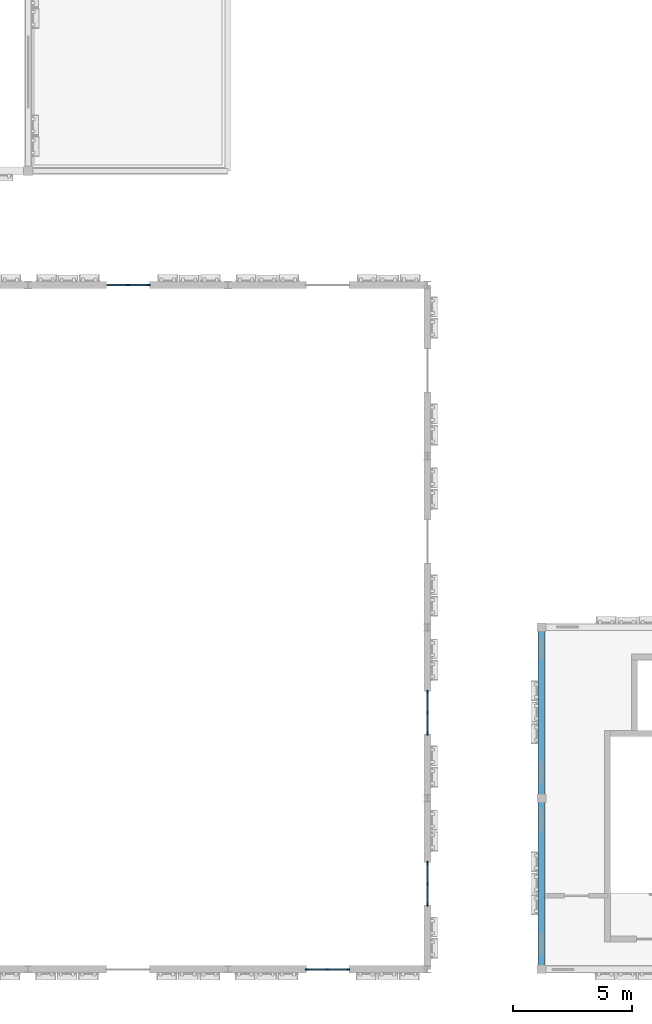
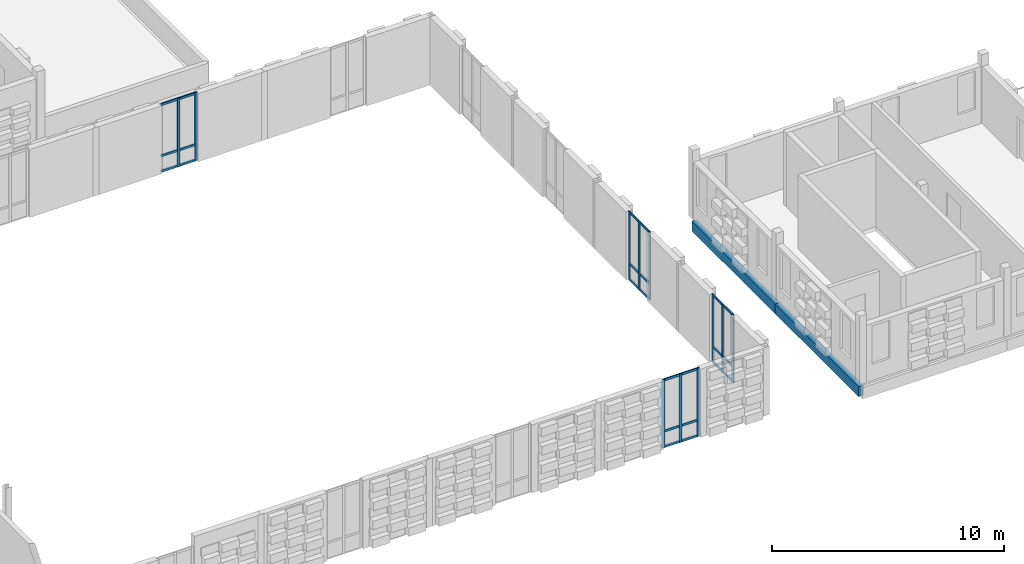
# One storey, part 8 of 57: 23 members, 2 beams, 4 elements without a shape of their own.
"""IFC4 building model written with IfcOpenShell, lengths in metres."""

from ifc_helpers import new_model, si_unit, direction, frame, origin, origin_2d, place, context, subcontext, project, spatial, rectangle, extrude, material, material_profile, profile_set, type_object, element, aggregate, save


model = new_model("IFC4")

# Units and contexts
model_context = context("Model", 3, precision=1e-05, world=origin(), true_north=direction((0.0, 1.0)))
body_context = subcontext(model_context, "Body", "Model", "MODEL_VIEW")
ifc_project = project(units=[si_unit("LENGTHUNIT", "METRE"), si_unit("AREAUNIT", "SQUARE_METRE"), si_unit("VOLUMEUNIT", "CUBIC_METRE"), si_unit("PLANEANGLEUNIT", "RADIAN"), si_unit("MASSUNIT", "GRAM", prefix="KILO")], contexts=[model_context])

# Site, building, storey
site_placement = place(None, origin())
site = spatial("IfcSite", under=ifc_project, at=site_placement, CompositionType="ELEMENT")
building_placement = place(site_placement, origin())
building = spatial("IfcBuilding", under=site, at=building_placement, Name="Kahlenmark Community Centre", CompositionType="ELEMENT")
storey_placement = place(building_placement, frame((0.0, 0.0, 13.800048828125)))
storey = spatial("IfcBuildingStorey", under=building, at=storey_placement, Name="L03", CompositionType="ELEMENT", Elevation=13.800048828125)

# Beams
ifc_material_1 = material(Name="Glulam GL32h", Category="wood")
ifc_material_profile_1 = material_profile(ifc_material_1, rectangle(XDim=0.239990234375, YDim=0.52001953125, at=origin_2d()), Name="GL32h 240x520")
ifc_profile_set_1 = profile_set([ifc_material_profile_1], Name="Glulam GL32h")
beam_type = type_object("IfcBeamType", Name="BT-BEAM-GL32h240x520", PredefinedType="BEAM", material=ifc_profile_set_1)
for number, where, z_axis, x_axis, name in (
    (1, (50.800048828125, 8.800048828125, -0.47998046875), (0.0, 1.0, 0.0), (-1.0, 0.0, 0.0), "L03 beam BG-RF520"),
    (2, (50.800048828125, 16.0, -0.47998046875), (0.0, 1.0, 0.0), (-1.0, 0.0, 0.0), "L03 beam BG-RF520"),
):
    element("IfcBeam", number, at=place(storey_placement, frame(where, z_axis=z_axis, x_axis=x_axis)), inside=storey, type_object=beam_type, Name=name, PredefinedType="BEAM", context=body_context, shape_type="SweptSolid", body=[
        extrude(rectangle(XDim=0.239990234375, YDim=0.52001953125, at=origin_2d()), origin(), (0.0, 0.0, 1.0), 7.199951171875),
    ])

# Curtain wall, members
ifc_material_2 = material(Name="Anodised aluminium unitised curtain wall", Category="aluminium")
curtain_wall_type = type_object("IfcCurtainWallType", Name="CWT-UNIT-180X359", PredefinedType="USERDEFINED", material=ifc_material_2)
curtain_wall_1_placement = place(storey_placement, origin())
curtain_wall_1 = element("IfcCurtainWall", 3, at=curtain_wall_1_placement, inside=storey, type_object=curtain_wall_type, Name="Unitised curtain wall CW-108", ObjectType="UNITISED CURTAIN WALL", PredefinedType="USERDEFINED")
ifc_material_3 = material(Name="Anodised aluminium 6063-T6", Category="aluminium")
ifc_material_profile_2 = material_profile(ifc_material_3, rectangle(XDim=0.06005859375, YDim=0.139892578125, at=origin_2d()), Name="ALU MULLION 60x140")
ifc_profile_set_2 = profile_set([ifc_material_profile_2], Name="Anodised aluminium 6063-T6")
member_type_1 = type_object("IfcMemberType", Name="MT-MUL-140", PredefinedType="MULLION", material=ifc_profile_set_2)
member_1_placement = place(storey_placement, frame((40.929931640625, 8.800048828125, 0.0), z_axis=(0.0, 0.0, 1.0), x_axis=(0.0, 1.0, 0.0)))
member_1 = element("IfcMember", 4, at=member_1_placement, type_object=member_type_1, Name="CW-108 mullion 1", PredefinedType="MULLION", context=body_context, shape_type="SweptSolid", body=[
    extrude(rectangle(XDim=0.06005859375, YDim=0.139892578125, at=origin_2d()), origin(), (0.0, 0.0, 1.0), 3.58984375),
])
member_2_placement = place(storey_placement, frame((41.800048828125, 8.800048828125, 0.0), z_axis=(0.0, 0.0, 1.0), x_axis=(0.0, 1.0, 0.0)))
member_2 = element("IfcMember", 5, at=member_2_placement, type_object=member_type_1, Name="CW-108 mullion 2", PredefinedType="MULLION", context=body_context, shape_type="SweptSolid", body=[
    extrude(rectangle(XDim=0.06005859375, YDim=0.139892578125, at=origin_2d()), origin(), (0.0, 0.0, 1.0), 3.58984375),
])
member_3_placement = place(storey_placement, frame((42.669921875, 8.800048828125, 0.0), z_axis=(0.0, 0.0, 1.0), x_axis=(0.0, 1.0, 0.0)))
member_3 = element("IfcMember", 6, at=member_3_placement, type_object=member_type_1, Name="CW-108 mullion 3", PredefinedType="MULLION", context=body_context, shape_type="SweptSolid", body=[
    extrude(rectangle(XDim=0.06005859375, YDim=0.139892578125, at=origin_2d()), origin(), (0.0, 0.0, 1.0), 3.58984375),
])

curtain_wall_2_placement = place(storey_placement, origin())
curtain_wall_2 = element("IfcCurtainWall", 7, at=curtain_wall_2_placement, inside=storey, type_object=curtain_wall_type, Name="Unitised curtain wall CW-111", ObjectType="UNITISED CURTAIN WALL", PredefinedType="USERDEFINED")
member_4_placement = place(storey_placement, frame((34.27001953125, 37.60009765625, 0.0), z_axis=(0.0, 0.0, 1.0), x_axis=(0.0, -1.0, 0.0)))
member_4 = element("IfcMember", 8, at=member_4_placement, type_object=member_type_1, Name="CW-111 mullion 1", PredefinedType="MULLION", context=body_context, shape_type="SweptSolid", body=[
    extrude(rectangle(XDim=0.06005859375, YDim=0.139892578125, at=origin_2d()), origin(), (0.0, 0.0, 1.0), 3.58984375),
])
member_5_placement = place(storey_placement, frame((33.39990234375, 37.60009765625, 0.0), z_axis=(0.0, 0.0, 1.0), x_axis=(0.0, -1.0, 0.0)))
member_5 = element("IfcMember", 9, at=member_5_placement, type_object=member_type_1, Name="CW-111 mullion 2", PredefinedType="MULLION", context=body_context, shape_type="SweptSolid", body=[
    extrude(rectangle(XDim=0.06005859375, YDim=0.139892578125, at=origin_2d()), origin(), (0.0, 0.0, 1.0), 3.58984375),
])

curtain_wall_3_placement = place(storey_placement, origin())
curtain_wall_3 = element("IfcCurtainWall", 10, at=curtain_wall_3_placement, inside=storey, type_object=curtain_wall_type, Name="Unitised curtain wall CW-115", ObjectType="UNITISED CURTAIN WALL", PredefinedType="USERDEFINED")
member_6_placement = place(storey_placement, frame((46.0, 11.530029296875, 0.0), z_axis=(0.0, 0.0, 1.0), x_axis=(-1.0, 0.0, 0.0)))
member_6 = element("IfcMember", 11, at=member_6_placement, type_object=member_type_1, Name="CW-115 mullion 1", PredefinedType="MULLION", context=body_context, shape_type="SweptSolid", body=[
    extrude(rectangle(XDim=0.06005859375, YDim=0.139892578125, at=origin_2d()), origin(), (0.0, 0.0, 1.0), 3.58984375),
])
member_7_placement = place(storey_placement, frame((46.0, 12.39990234375, 0.0), z_axis=(0.0, 0.0, 1.0), x_axis=(-1.0, 0.0, 0.0)))
member_7 = element("IfcMember", 12, at=member_7_placement, type_object=member_type_1, Name="CW-115 mullion 2", PredefinedType="MULLION", context=body_context, shape_type="SweptSolid", body=[
    extrude(rectangle(XDim=0.06005859375, YDim=0.139892578125, at=origin_2d()), origin(), (0.0, 0.0, 1.0), 3.58984375),
])
member_8_placement = place(storey_placement, frame((46.0, 13.27001953125, 0.0), z_axis=(0.0, 0.0, 1.0), x_axis=(-1.0, 0.0, 0.0)))
member_8 = element("IfcMember", 13, at=member_8_placement, type_object=member_type_1, Name="CW-115 mullion 3", PredefinedType="MULLION", context=body_context, shape_type="SweptSolid", body=[
    extrude(rectangle(XDim=0.06005859375, YDim=0.139892578125, at=origin_2d()), origin(), (0.0, 0.0, 1.0), 3.58984375),
])

curtain_wall_4_placement = place(storey_placement, origin())
curtain_wall_4 = element("IfcCurtainWall", 14, at=curtain_wall_4_placement, inside=storey, type_object=curtain_wall_type, Name="Unitised curtain wall CW-116", ObjectType="UNITISED CURTAIN WALL", PredefinedType="USERDEFINED")
member_9_placement = place(storey_placement, frame((46.0, 18.72998046875, 0.0), z_axis=(0.0, 0.0, 1.0), x_axis=(-1.0, 0.0, 0.0)))
member_9 = element("IfcMember", 15, at=member_9_placement, type_object=member_type_1, Name="CW-116 mullion 1", PredefinedType="MULLION", context=body_context, shape_type="SweptSolid", body=[
    extrude(rectangle(XDim=0.06005859375, YDim=0.139892578125, at=origin_2d()), origin(), (0.0, 0.0, 1.0), 3.58984375),
])
member_10_placement = place(storey_placement, frame((46.0, 19.60009765625, 0.0), z_axis=(0.0, 0.0, 1.0), x_axis=(-1.0, 0.0, 0.0)))
member_10 = element("IfcMember", 16, at=member_10_placement, type_object=member_type_1, Name="CW-116 mullion 2", PredefinedType="MULLION", context=body_context, shape_type="SweptSolid", body=[
    extrude(rectangle(XDim=0.06005859375, YDim=0.139892578125, at=origin_2d()), origin(), (0.0, 0.0, 1.0), 3.58984375),
])
member_11_placement = place(storey_placement, frame((46.0, 20.469970703125, 0.0), z_axis=(0.0, 0.0, 1.0), x_axis=(-1.0, 0.0, 0.0)))
member_11 = element("IfcMember", 17, at=member_11_placement, type_object=member_type_1, Name="CW-116 mullion 3", PredefinedType="MULLION", context=body_context, shape_type="SweptSolid", body=[
    extrude(rectangle(XDim=0.06005859375, YDim=0.139892578125, at=origin_2d()), origin(), (0.0, 0.0, 1.0), 3.58984375),
])

# Member
ifc_material_profile_3 = material_profile(ifc_material_3, rectangle(XDim=0.06005859375, YDim=0.1201171875, at=origin_2d()), Name="ALU TRANSOM 60x120")
ifc_profile_set_3 = profile_set([ifc_material_profile_3], Name="Anodised aluminium 6063-T6")
member_type_2 = type_object("IfcMemberType", Name="MT-TRN-120", PredefinedType="USERDEFINED", material=ifc_profile_set_3)
member_12_placement = place(storey_placement, frame((40.929931640625, 8.800048828125, 0.0400390625), z_axis=(1.0, 0.0, 0.0), x_axis=(0.0, 1.0, 0.0)))
member_12 = element("IfcMember", 18, at=member_12_placement, type_object=member_type_2, Name="CW-108 transom 1", ObjectType="TRANSOM", PredefinedType="USERDEFINED", context=body_context, shape_type="SweptSolid", body=[
    extrude(rectangle(XDim=0.06005859375, YDim=0.1201171875, at=origin_2d()), origin(), (0.0, 0.0, 1.0), 1.739990234375),
])

member_13_placement = place(storey_placement, frame((40.929931640625, 8.800048828125, 0.849853515625), z_axis=(1.0, 0.0, 0.0), x_axis=(0.0, 1.0, 0.0)))
member_13 = element("IfcMember", 19, at=member_13_placement, type_object=member_type_2, Name="CW-108 transom 2", ObjectType="TRANSOM", PredefinedType="USERDEFINED", context=body_context, shape_type="SweptSolid", body=[
    extrude(rectangle(XDim=0.06005859375, YDim=0.1201171875, at=origin_2d()), origin(), (0.0, 0.0, 1.0), 1.739990234375),
])

member_14_placement = place(storey_placement, frame((40.929931640625, 8.800048828125, 3.550048828125), z_axis=(1.0, 0.0, 0.0), x_axis=(0.0, 1.0, 0.0)))
member_14 = element("IfcMember", 20, at=member_14_placement, type_object=member_type_2, Name="CW-108 transom 3", ObjectType="TRANSOM", PredefinedType="USERDEFINED", context=body_context, shape_type="SweptSolid", body=[
    extrude(rectangle(XDim=0.06005859375, YDim=0.1201171875, at=origin_2d()), origin(), (0.0, 0.0, 1.0), 1.739990234375),
])

aggregate(curtain_wall_1, [member_1, member_2, member_3, member_12, member_13, member_14])

member_15_placement = place(storey_placement, frame((34.27001953125, 37.60009765625, 0.0400390625), z_axis=(-1.0, 0.0, 0.0), x_axis=(0.0, -1.0, 0.0)))
member_15 = element("IfcMember", 21, at=member_15_placement, type_object=member_type_2, Name="CW-111 transom 1", ObjectType="TRANSOM", PredefinedType="USERDEFINED", context=body_context, shape_type="SweptSolid", body=[
    extrude(rectangle(XDim=0.06005859375, YDim=0.1201171875, at=origin_2d()), origin(), (0.0, 0.0, 1.0), 1.739990234375),
])

member_16_placement = place(storey_placement, frame((34.27001953125, 37.60009765625, 0.849853515625), z_axis=(-1.0, 0.0, 0.0), x_axis=(0.0, -1.0, 0.0)))
member_16 = element("IfcMember", 22, at=member_16_placement, type_object=member_type_2, Name="CW-111 transom 2", ObjectType="TRANSOM", PredefinedType="USERDEFINED", context=body_context, shape_type="SweptSolid", body=[
    extrude(rectangle(XDim=0.06005859375, YDim=0.1201171875, at=origin_2d()), origin(), (0.0, 0.0, 1.0), 1.739990234375),
])

member_17_placement = place(storey_placement, frame((34.27001953125, 37.60009765625, 3.550048828125), z_axis=(-1.0, 0.0, 0.0), x_axis=(0.0, -1.0, 0.0)))
member_17 = element("IfcMember", 23, at=member_17_placement, type_object=member_type_2, Name="CW-111 transom 3", ObjectType="TRANSOM", PredefinedType="USERDEFINED", context=body_context, shape_type="SweptSolid", body=[
    extrude(rectangle(XDim=0.06005859375, YDim=0.1201171875, at=origin_2d()), origin(), (0.0, 0.0, 1.0), 1.739990234375),
])

aggregate(curtain_wall_2, [member_4, member_5, member_15, member_16, member_17])

member_18_placement = place(storey_placement, frame((46.0, 11.530029296875, 0.0400390625), z_axis=(0.0, 1.0, 0.0), x_axis=(-1.0, 0.0, 0.0)))
member_18 = element("IfcMember", 24, at=member_18_placement, type_object=member_type_2, Name="CW-115 transom 1", ObjectType="TRANSOM", PredefinedType="USERDEFINED", context=body_context, shape_type="SweptSolid", body=[
    extrude(rectangle(XDim=0.06005859375, YDim=0.1201171875, at=origin_2d()), origin(), (0.0, 0.0, 1.0), 1.739990234375),
])

member_19_placement = place(storey_placement, frame((46.0, 11.530029296875, 0.849853515625), z_axis=(0.0, 1.0, 0.0), x_axis=(-1.0, 0.0, 0.0)))
member_19 = element("IfcMember", 25, at=member_19_placement, type_object=member_type_2, Name="CW-115 transom 2", ObjectType="TRANSOM", PredefinedType="USERDEFINED", context=body_context, shape_type="SweptSolid", body=[
    extrude(rectangle(XDim=0.06005859375, YDim=0.1201171875, at=origin_2d()), origin(), (0.0, 0.0, 1.0), 1.739990234375),
])

member_20_placement = place(storey_placement, frame((46.0, 11.530029296875, 3.550048828125), z_axis=(0.0, 1.0, 0.0), x_axis=(-1.0, 0.0, 0.0)))
member_20 = element("IfcMember", 26, at=member_20_placement, type_object=member_type_2, Name="CW-115 transom 3", ObjectType="TRANSOM", PredefinedType="USERDEFINED", context=body_context, shape_type="SweptSolid", body=[
    extrude(rectangle(XDim=0.06005859375, YDim=0.1201171875, at=origin_2d()), origin(), (0.0, 0.0, 1.0), 1.739990234375),
])

aggregate(curtain_wall_3, [member_6, member_7, member_8, member_18, member_19, member_20])

member_21_placement = place(storey_placement, frame((46.0, 18.72998046875, 0.0400390625), z_axis=(0.0, 1.0, 0.0), x_axis=(-1.0, 0.0, 0.0)))
member_21 = element("IfcMember", 27, at=member_21_placement, type_object=member_type_2, Name="CW-116 transom 1", ObjectType="TRANSOM", PredefinedType="USERDEFINED", context=body_context, shape_type="SweptSolid", body=[
    extrude(rectangle(XDim=0.06005859375, YDim=0.1201171875, at=origin_2d()), origin(), (0.0, 0.0, 1.0), 1.739990234375),
])

member_22_placement = place(storey_placement, frame((46.0, 18.72998046875, 0.849853515625), z_axis=(0.0, 1.0, 0.0), x_axis=(-1.0, 0.0, 0.0)))
member_22 = element("IfcMember", 28, at=member_22_placement, type_object=member_type_2, Name="CW-116 transom 2", ObjectType="TRANSOM", PredefinedType="USERDEFINED", context=body_context, shape_type="SweptSolid", body=[
    extrude(rectangle(XDim=0.06005859375, YDim=0.1201171875, at=origin_2d()), origin(), (0.0, 0.0, 1.0), 1.739990234375),
])

member_23_placement = place(storey_placement, frame((46.0, 18.72998046875, 3.550048828125), z_axis=(0.0, 1.0, 0.0), x_axis=(-1.0, 0.0, 0.0)))
member_23 = element("IfcMember", 29, at=member_23_placement, type_object=member_type_2, Name="CW-116 transom 3", ObjectType="TRANSOM", PredefinedType="USERDEFINED", context=body_context, shape_type="SweptSolid", body=[
    extrude(rectangle(XDim=0.06005859375, YDim=0.1201171875, at=origin_2d()), origin(), (0.0, 0.0, 1.0), 1.739990234375),
])

aggregate(curtain_wall_4, [member_9, member_10, member_11, member_21, member_22, member_23])

save(model, "model.ifc")
